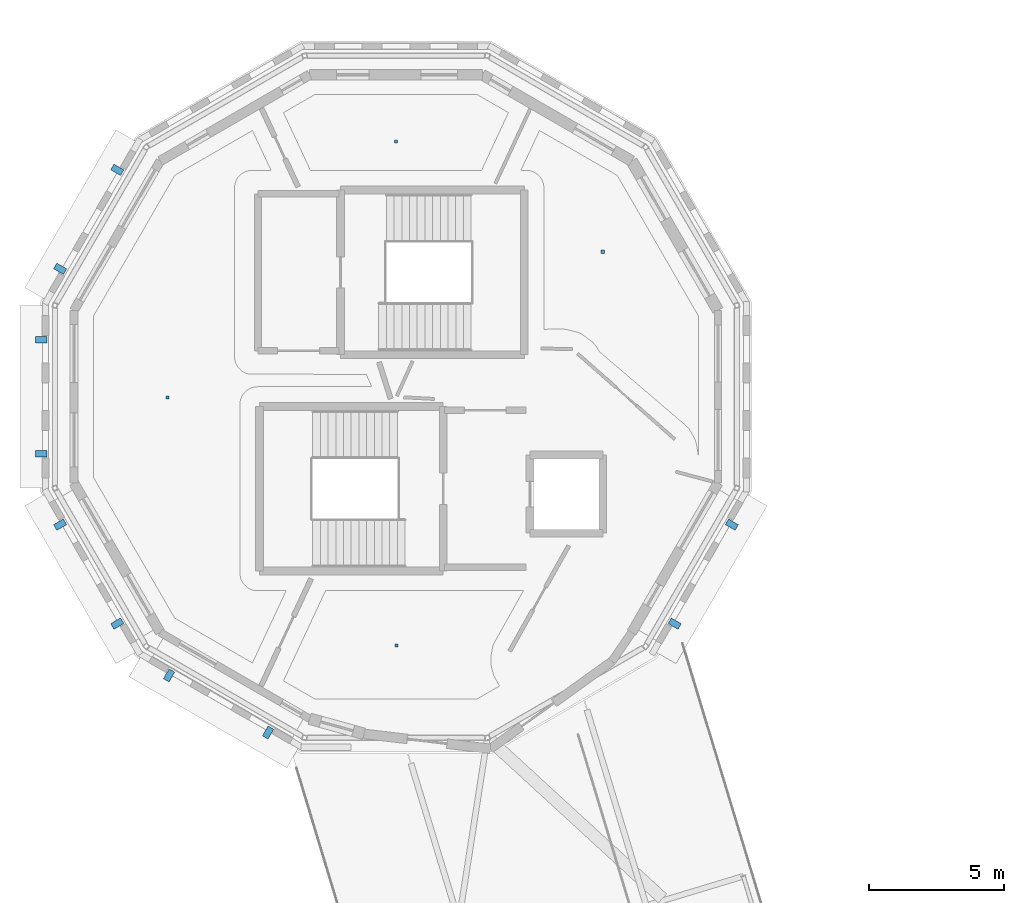
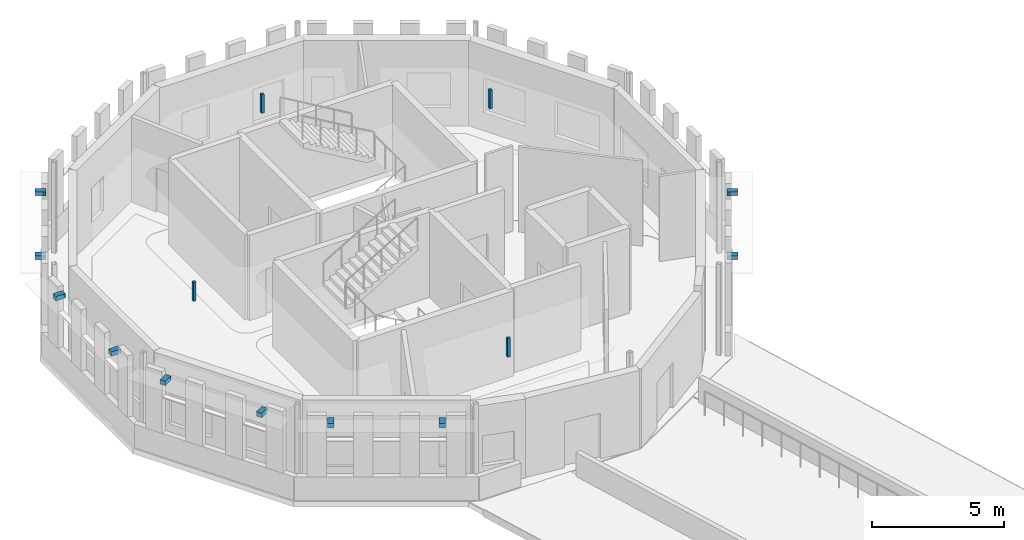
# One storey, part 57 of 68: 14 discrete accessories.
"""IFC4 building model written with IfcOpenShell, lengths in metres."""

import ifcopenshell
import ifcopenshell.guid

model = None  # the IFC model being written
_history = None  # IfcOwnerHistory: only IFC2X3 demands one
_inside = {}  # id of a spatial element -> (the spatial element, [elements in it])
_under = {}  # id of a project, library or spatial element -> (it, [spatial elements below it])
_declared = {}  # id of a project -> (the project, [libraries it declares])
_typed = {}  # id of a type object -> (the type object, [elements of that type])
_made_of = {}  # id of a material, layer set ... -> (it, [elements and type objects made of it])


def new_model(schema):
    """Start an empty IFC model of exactly this schema.

    Asked for "IFC4X3", IfcOpenShell would pick the latest addendum, in which some entities
    have other attributes; the version numbers below select the first issue.
    IFC2X3 requires an IfcOwnerHistory on every rooted entity: one is made here for all.
    """
    global model, _history
    if schema == "IFC4X3":
        model = ifcopenshell.file(schema_version=(4, 3, 0, 0))
    else:
        model = ifcopenshell.file(schema=schema)
    _inside.clear()
    _under.clear()
    _declared.clear()
    _typed.clear()
    _made_of.clear()
    _history = None
    if model.schema == "IFC2X3":
        org = make("IfcOrganization", Name="unknown")
        user = make(
            "IfcPersonAndOrganization",
            ThePerson=make("IfcPerson", FamilyName="unknown"),
            TheOrganization=org,
        )
        app = make(
            "IfcApplication",
            ApplicationDeveloper=org,
            Version="unknown",
            ApplicationFullName="unknown",
            ApplicationIdentifier="unknown",
        )
        _history = make(
            "IfcOwnerHistory",
            OwningUser=user,
            OwningApplication=app,
            ChangeAction="ADDED",
            CreationDate=0,
        )
    return model


def make(cls, **values):
    """One entity of the class cls with the attributes given. An attribute that is None is left unset."""
    return model.create_entity(
        cls, **{name: value for name, value in values.items() if value is not None}
    )


def rooted(cls, **values):
    """An entity with a GlobalId (a new one), such as an element, a storey or a relation."""
    return make(cls, GlobalId=ifcopenshell.guid.new(), OwnerHistory=_history, **values)


def si_unit(unit_type, name, prefix=None):
    """IfcSIUnit, for example si_unit("LENGTHUNIT", "METRE", prefix="MILLI")."""
    return make("IfcSIUnit", UnitType=unit_type, Prefix=prefix, Name=name)


def assignment(units):
    """IfcUnitAssignment: the units of a project."""
    return None if units is None else make("IfcUnitAssignment", Units=units)


def point(xyz):
    """IfcCartesianPoint."""
    return None if xyz is None else make("IfcCartesianPoint", Coordinates=xyz)


def direction(xyz):
    """IfcDirection."""
    return None if xyz is None else make("IfcDirection", DirectionRatios=xyz)


def frame(location, z_axis=None, x_axis=None):
    """IfcAxis2Placement3D, a coordinate frame: its origin and axes. An axis left out is left unset."""
    return make(
        "IfcAxis2Placement3D",
        Location=point(location),
        Axis=direction(z_axis),
        RefDirection=direction(x_axis),
    )


def frame_2d(location, x_axis=None):
    """IfcAxis2Placement2D, a coordinate frame in the plane: its origin and x axis."""
    return make(
        "IfcAxis2Placement2D", Location=point(location), RefDirection=direction(x_axis)
    )


def origin():
    """The frame at (0, 0, 0) with its axes left unset."""
    return frame((0.0, 0.0, 0.0))


def origin_2d():
    """The frame at (0, 0) in the plane with its x axis left unset."""
    return frame_2d((0.0, 0.0))


def place(relative_to, where):
    """IfcLocalPlacement: puts the frame where relative to a parent placement (None: the world)."""
    return make(
        "IfcLocalPlacement", PlacementRelTo=relative_to, RelativePlacement=where
    )


def context(
    kind, dimensions, precision=None, world=None, true_north=None, identifier=None
):
    """IfcGeometricRepresentationContext, for example the 3D "Model" context."""
    return make(
        "IfcGeometricRepresentationContext",
        ContextIdentifier=identifier,
        ContextType=kind,
        CoordinateSpaceDimension=dimensions,
        Precision=precision,
        WorldCoordinateSystem=world,
        TrueNorth=true_north,
    )


def subcontext(parent, identifier, kind, view, scale=None):
    """IfcGeometricRepresentationSubContext, for example "Body" below "Model"."""
    return make(
        "IfcGeometricRepresentationSubContext",
        ContextIdentifier=identifier,
        ContextType=kind,
        ParentContext=parent,
        TargetScale=scale,
        TargetView=view,
    )


def project(units=None, contexts=None):
    """IfcProject with its units and contexts."""
    return rooted(
        "IfcProject",
        Name="project",
        RepresentationContexts=contexts,
        UnitsInContext=assignment(units),
    )


def spatial(cls, under=None, at=None, **own):
    """A site, building, storey or space (cls), placed at a placement, below another one or the project."""
    s = rooted(cls, ObjectPlacement=at, **own)
    if under is not None:
        _under.setdefault(under.id(), (under, []))[1].append(s)
    return s


def profile(cls, at=None, kind="AREA", **sizes):
    """A parametric profile (cls). Its sizes go by their IFC names, for example OverallWidth=200.0."""
    return make(cls, ProfileType=kind, Position=at, **sizes)


def rectangle(**sizes):
    """IfcRectangleProfileDef."""
    return profile("IfcRectangleProfileDef", **sizes)


def extrude(swept, where, along, depth):
    """IfcExtrudedAreaSolid: the profile swept, set in the frame where, extruded along a direction by depth."""
    return make(
        "IfcExtrudedAreaSolid",
        SweptArea=swept,
        Position=where,
        ExtrudedDirection=direction(along),
        Depth=depth,
    )


def shape(context_of_items, identifier, shape_type, items):
    """IfcShapeRepresentation: the items that make up one representation, for example the "Body"."""
    return make(
        "IfcShapeRepresentation",
        ContextOfItems=context_of_items,
        RepresentationIdentifier=identifier,
        RepresentationType=shape_type,
        Items=items,
    )


def material(Name=None, Category=None):
    """IfcMaterial."""
    return make("IfcMaterial", Name=Name, Category=Category)


def made_of(thing, what):
    """Note that an element or type object is made of a material, layer set ...; save() writes the relation."""
    if what is not None:
        _made_of.setdefault(what.id(), (what, []))[1].append(thing)
    return thing


def type_object(cls, material=None, **own):
    """A type object (cls), such as IfcWallType, which elements share."""
    return made_of(rooted(cls, **own), material)


def element(
    cls,
    number,
    at=None,
    inside=None,
    cuts=None,
    type_object=None,
    material=None,
    context=None,
    identifier="Body",
    shape_type=None,
    held_by="IfcProductDefinitionShape",
    body=None,
    shapes=None,
    **own,
):
    """One element of the class cls, such as IfcWall. Its Tag is "e" and its number.

    at: its placement. inside: the storey or other place that contains it. cuts: it is an
    opening in that element (IfcRelVoidsElement). A single representation is given by context,
    identifier, shape_type and body (its items); several are given by shapes. held_by: the class
    of the entity that holds the representations. save() writes the other relations.
    """
    e = rooted(cls, Tag="e%d" % number, ObjectPlacement=at, **own)
    if body is not None:
        shapes = [shape(context, identifier, shape_type, body)]
    if shapes is not None:
        e.Representation = make(held_by, Representations=shapes)
    if inside is not None:
        _inside.setdefault(inside.id(), (inside, []))[1].append(e)
    if cuts is not None:
        rooted(
            "IfcRelVoidsElement", RelatingBuildingElement=cuts, RelatedOpeningElement=e
        )
    if type_object is not None:
        _typed.setdefault(type_object.id(), (type_object, []))[1].append(e)
    return made_of(e, material)


def aggregate(whole, parts):
    """IfcRelAggregates: a whole, such as a stair, and the parts it consists of."""
    return rooted("IfcRelAggregates", RelatingObject=whole, RelatedObjects=parts)


def save(model, path):
    """Write the relations noted so far, then the file.

    IfcRelAggregates (storeys below a building ...), IfcRelContainedInSpatialStructure (elements
    in a storey), IfcRelDefinesByType, IfcRelAssociatesMaterial and IfcRelDeclares: one each for
    every whole, place, type object, material and project.
    """
    for whole, parts in _under.values():
        aggregate(whole, parts)
    for where, things in _inside.values():
        rooted(
            "IfcRelContainedInSpatialStructure",
            RelatedElements=things,
            RelatingStructure=where,
        )
    for kind, things in _typed.values():
        rooted("IfcRelDefinesByType", RelatedObjects=things, RelatingType=kind)
    for what, things in _made_of.values():
        rooted("IfcRelAssociatesMaterial", RelatedObjects=things, RelatingMaterial=what)
    for by, libraries in _declared.values():
        rooted("IfcRelDeclares", RelatingContext=by, RelatedDefinitions=libraries)
    model.write(path)


model = new_model("IFC4")

# Units and contexts
model_context = context("Model", 3, precision=1e-05, world=origin(), true_north=direction((0.0, 1.0)))
body_context = subcontext(model_context, "Body", "Model", "MODEL_VIEW")
ifc_project = project(units=[si_unit("LENGTHUNIT", "METRE"), si_unit("AREAUNIT", "SQUARE_METRE"), si_unit("VOLUMEUNIT", "CUBIC_METRE"), si_unit("PLANEANGLEUNIT", "RADIAN"), si_unit("MASSUNIT", "GRAM", prefix="KILO")], contexts=[model_context])

# Site, building, storey
site_placement = place(None, origin())
site = spatial("IfcSite", under=ifc_project, at=site_placement, CompositionType="ELEMENT")
building_placement = place(site_placement, origin())
building = spatial("IfcBuilding", under=site, at=building_placement, Name="Wrenclough Park School", CompositionType="ELEMENT")
storey_placement = place(building_placement, frame((0.0, 0.0, 12.60009765625)))
storey = spatial("IfcBuildingStorey", under=building, at=storey_placement, Name="L03", CompositionType="ELEMENT", Elevation=12.60009765625)

# Discrete accessories
ifc_material_1 = material(Name="Austenitic stainless steel Grade 1.4401", Category="steel")
discrete_accessory_type_1 = type_object("IfcDiscreteAccessoryType", Name="ENV-BRK-01", PredefinedType="BRACKET", material=ifc_material_1)
for number, where, z_axis, x_axis, name in (
    (1, (6.19677734375, 97.88720703125, 3.5400390625), (0.0, 0.0, 1.0), (-0.499990505441, -0.866030885401, 0.0), "Brise-soleil stainless outrigger bracket 0195"),
    (2, (4.084716796875, 94.229248046875, 3.5400390625), (0.0, 0.0, 1.0), (-0.499990505441, -0.866030885401, 0.0), "Brise-soleil stainless outrigger bracket 0196"),
    (3, (3.38330078125, 91.61181640625, 3.5400390625), (0.0, 0.0, 1.0), (0.0, -1.0, 0.0), "Brise-soleil stainless outrigger bracket 0197"),
    (4, (3.38330078125, 87.38818359375, 3.5400390625), (0.0, 0.0, 1.0), (0.0, -1.0, 0.0), "Brise-soleil stainless outrigger bracket 0198"),
    (5, (4.084716796875, 84.770751953125, 3.5400390625), (0.0, 0.0, 1.0), (0.499990505441, -0.866030885401, 0.0), "Brise-soleil stainless outrigger bracket 0199"),
    (6, (6.19677734375, 81.11279296875, 3.5400390625), (0.0, 0.0, 1.0), (0.499990505441, -0.866030885401, 0.0), "Brise-soleil stainless outrigger bracket 0200"),
    (7, (8.11279296875, 79.19677734375, 3.5400390625), (0.0, 0.0, 1.0), (0.866030885401, -0.499990505441, 0.0), "Brise-soleil stainless outrigger bracket 0201"),
    (8, (11.770751953125, 77.084716796875, 3.5400390625), (0.0, 0.0, 1.0), (0.866030885401, -0.499990505441, 0.0), "Brise-soleil stainless outrigger bracket 0202"),
    (9, (26.80322265625, 81.11279296875, 3.5400390625), (0.0, 0.0, 1.0), (0.499990505441, 0.866030885401, 0.0), "Brise-soleil stainless outrigger bracket 0203"),
    (10, (28.915283203125, 84.770751953125, 3.5400390625), (0.0, 0.0, 1.0), (0.499990505441, 0.866030885401, 0.0), "Brise-soleil stainless outrigger bracket 0204"),
):
    element("IfcDiscreteAccessory", number, at=place(storey_placement, frame(where, z_axis=z_axis, x_axis=x_axis)), inside=storey, type_object=discrete_accessory_type_1, Name=name, PredefinedType="BRACKET", context=body_context, shape_type="SweptSolid", body=[
        extrude(rectangle(XDim=0.239990234375, YDim=0.419921875, at=origin_2d()), origin(), (0.0, 0.0, 1.0), 0.199951171875),
    ])
ifc_material_2 = material(Name="Galvanised steel acoustic ceiling suspension hanger", Category="steel")
discrete_accessory_type_2 = type_object("IfcDiscreteAccessoryType", Name="INT-BRK-HGR", PredefinedType="BRACKET", material=ifc_material_2)
for number, where, z_axis, x_axis, name in (
    (11, (8.05322265625, 89.467529296875, 3.08984375), (0.0, 0.0, 1.0), (1.0, 0.0, 0.0), "Acoustic ceiling hanger bracket 0070"),
    (12, (16.52099609375, 80.304443359375, 3.08984375), (0.0, 0.0, 1.0), (1.0, 0.0, 0.0), "Acoustic ceiling hanger bracket 0071"),
    (13, (24.140869140625, 94.857177734375, 3.08984375), (0.0, 0.0, 1.0), (1.0, 0.0, 0.0), "Acoustic ceiling hanger bracket 0072"),
    (14, (16.5, 98.936767578125, 3.08984375), (0.0, 0.0, 1.0), (1.0, 0.0, 0.0), "Acoustic ceiling hanger bracket 0073"),
):
    element("IfcDiscreteAccessory", number, at=place(storey_placement, frame(where, z_axis=z_axis, x_axis=x_axis)), inside=storey, type_object=discrete_accessory_type_2, Name=name, PredefinedType="BRACKET", context=body_context, shape_type="SweptSolid", body=[
        extrude(rectangle(XDim=0.1201171875, YDim=0.1201171875, at=origin_2d()), origin(), (0.0, 0.0, 1.0), 0.875),
    ])

save(model, "model.ifc")
